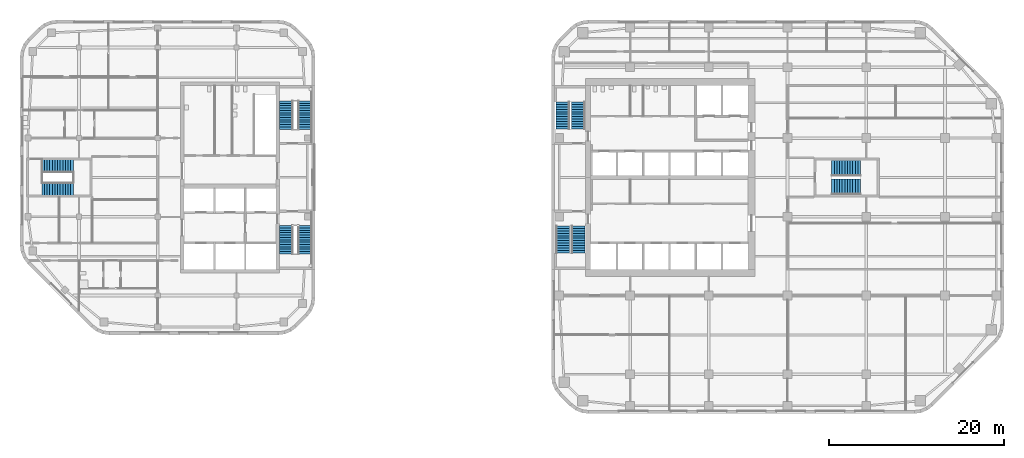
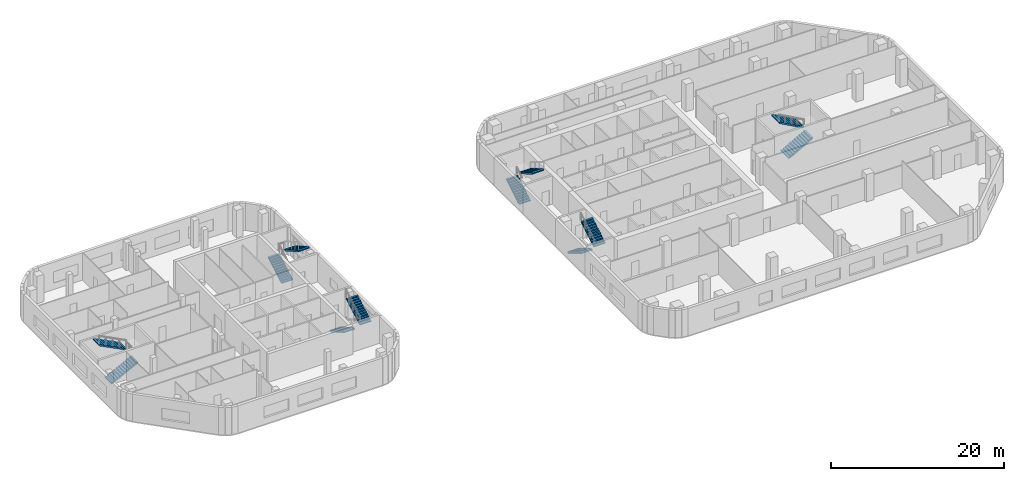
# One storey, part 11 of 14: 12 stair flights, 6 elements without a shape of their own.
"""IFC4 building model written with IfcOpenShell, lengths in metres."""

import ifcopenshell
import ifcopenshell.guid

model = None  # the IFC model being written
_history = None  # IfcOwnerHistory: only IFC2X3 demands one
_inside = {}  # id of a spatial element -> (the spatial element, [elements in it])
_under = {}  # id of a project, library or spatial element -> (it, [spatial elements below it])
_declared = {}  # id of a project -> (the project, [libraries it declares])
_typed = {}  # id of a type object -> (the type object, [elements of that type])
_made_of = {}  # id of a material, layer set ... -> (it, [elements and type objects made of it])


def new_model(schema):
    """Start an empty IFC model of exactly this schema.

    Asked for "IFC4X3", IfcOpenShell would pick the latest addendum, in which some entities
    have other attributes; the version numbers below select the first issue.
    IFC2X3 requires an IfcOwnerHistory on every rooted entity: one is made here for all.
    """
    global model, _history
    if schema == "IFC4X3":
        model = ifcopenshell.file(schema_version=(4, 3, 0, 0))
    else:
        model = ifcopenshell.file(schema=schema)
    _inside.clear()
    _under.clear()
    _declared.clear()
    _typed.clear()
    _made_of.clear()
    _history = None
    if model.schema == "IFC2X3":
        org = make("IfcOrganization", Name="unknown")
        user = make(
            "IfcPersonAndOrganization",
            ThePerson=make("IfcPerson", FamilyName="unknown"),
            TheOrganization=org,
        )
        app = make(
            "IfcApplication",
            ApplicationDeveloper=org,
            Version="unknown",
            ApplicationFullName="unknown",
            ApplicationIdentifier="unknown",
        )
        _history = make(
            "IfcOwnerHistory",
            OwningUser=user,
            OwningApplication=app,
            ChangeAction="ADDED",
            CreationDate=0,
        )
    return model


def make(cls, **values):
    """One entity of the class cls with the attributes given. An attribute that is None is left unset."""
    return model.create_entity(
        cls, **{name: value for name, value in values.items() if value is not None}
    )


def rooted(cls, **values):
    """An entity with a GlobalId (a new one), such as an element, a storey or a relation."""
    return make(cls, GlobalId=ifcopenshell.guid.new(), OwnerHistory=_history, **values)


def si_unit(unit_type, name, prefix=None):
    """IfcSIUnit, for example si_unit("LENGTHUNIT", "METRE", prefix="MILLI")."""
    return make("IfcSIUnit", UnitType=unit_type, Prefix=prefix, Name=name)


def assignment(units):
    """IfcUnitAssignment: the units of a project."""
    return None if units is None else make("IfcUnitAssignment", Units=units)


def point(xyz):
    """IfcCartesianPoint."""
    return None if xyz is None else make("IfcCartesianPoint", Coordinates=xyz)


def direction(xyz):
    """IfcDirection."""
    return None if xyz is None else make("IfcDirection", DirectionRatios=xyz)


def frame(location, z_axis=None, x_axis=None):
    """IfcAxis2Placement3D, a coordinate frame: its origin and axes. An axis left out is left unset."""
    return make(
        "IfcAxis2Placement3D",
        Location=point(location),
        Axis=direction(z_axis),
        RefDirection=direction(x_axis),
    )


def origin():
    """The frame at (0, 0, 0) with its axes left unset."""
    return frame((0.0, 0.0, 0.0))


def place(relative_to, where):
    """IfcLocalPlacement: puts the frame where relative to a parent placement (None: the world)."""
    return make(
        "IfcLocalPlacement", PlacementRelTo=relative_to, RelativePlacement=where
    )


def context(
    kind, dimensions, precision=None, world=None, true_north=None, identifier=None
):
    """IfcGeometricRepresentationContext, for example the 3D "Model" context."""
    return make(
        "IfcGeometricRepresentationContext",
        ContextIdentifier=identifier,
        ContextType=kind,
        CoordinateSpaceDimension=dimensions,
        Precision=precision,
        WorldCoordinateSystem=world,
        TrueNorth=true_north,
    )


def subcontext(parent, identifier, kind, view, scale=None):
    """IfcGeometricRepresentationSubContext, for example "Body" below "Model"."""
    return make(
        "IfcGeometricRepresentationSubContext",
        ContextIdentifier=identifier,
        ContextType=kind,
        ParentContext=parent,
        TargetScale=scale,
        TargetView=view,
    )


def project(units=None, contexts=None):
    """IfcProject with its units and contexts."""
    return rooted(
        "IfcProject",
        Name="project",
        RepresentationContexts=contexts,
        UnitsInContext=assignment(units),
    )


def spatial(cls, under=None, at=None, **own):
    """A site, building, storey or space (cls), placed at a placement, below another one or the project."""
    s = rooted(cls, ObjectPlacement=at, **own)
    if under is not None:
        _under.setdefault(under.id(), (under, []))[1].append(s)
    return s


def polyline(points):
    """IfcPolyline through the points."""
    return make("IfcPolyline", Points=[point(p) for p in points])


def outline(outer, holes=None, kind="AREA"):
    """IfcArbitraryClosedProfileDef: a profile drawn as a closed curve; with holes, ...WithVoids."""
    if holes is None:
        return make("IfcArbitraryClosedProfileDef", ProfileType=kind, OuterCurve=outer)
    return make(
        "IfcArbitraryProfileDefWithVoids",
        ProfileType=kind,
        OuterCurve=outer,
        InnerCurves=holes,
    )


def extrude(swept, where, along, depth):
    """IfcExtrudedAreaSolid: the profile swept, set in the frame where, extruded along a direction by depth."""
    return make(
        "IfcExtrudedAreaSolid",
        SweptArea=swept,
        Position=where,
        ExtrudedDirection=direction(along),
        Depth=depth,
    )


def shape(context_of_items, identifier, shape_type, items):
    """IfcShapeRepresentation: the items that make up one representation, for example the "Body"."""
    return make(
        "IfcShapeRepresentation",
        ContextOfItems=context_of_items,
        RepresentationIdentifier=identifier,
        RepresentationType=shape_type,
        Items=items,
    )


def material(Name=None, Category=None):
    """IfcMaterial."""
    return make("IfcMaterial", Name=Name, Category=Category)


def made_of(thing, what):
    """Note that an element or type object is made of a material, layer set ...; save() writes the relation."""
    if what is not None:
        _made_of.setdefault(what.id(), (what, []))[1].append(thing)
    return thing


def type_object(cls, material=None, **own):
    """A type object (cls), such as IfcWallType, which elements share."""
    return made_of(rooted(cls, **own), material)


def element(
    cls,
    number,
    at=None,
    inside=None,
    cuts=None,
    type_object=None,
    material=None,
    context=None,
    identifier="Body",
    shape_type=None,
    held_by="IfcProductDefinitionShape",
    body=None,
    shapes=None,
    **own,
):
    """One element of the class cls, such as IfcWall. Its Tag is "e" and its number.

    at: its placement. inside: the storey or other place that contains it. cuts: it is an
    opening in that element (IfcRelVoidsElement). A single representation is given by context,
    identifier, shape_type and body (its items); several are given by shapes. held_by: the class
    of the entity that holds the representations. save() writes the other relations.
    """
    e = rooted(cls, Tag="e%d" % number, ObjectPlacement=at, **own)
    if body is not None:
        shapes = [shape(context, identifier, shape_type, body)]
    if shapes is not None:
        e.Representation = make(held_by, Representations=shapes)
    if inside is not None:
        _inside.setdefault(inside.id(), (inside, []))[1].append(e)
    if cuts is not None:
        rooted(
            "IfcRelVoidsElement", RelatingBuildingElement=cuts, RelatedOpeningElement=e
        )
    if type_object is not None:
        _typed.setdefault(type_object.id(), (type_object, []))[1].append(e)
    return made_of(e, material)


def aggregate(whole, parts):
    """IfcRelAggregates: a whole, such as a stair, and the parts it consists of."""
    return rooted("IfcRelAggregates", RelatingObject=whole, RelatedObjects=parts)


def save(model, path):
    """Write the relations noted so far, then the file.

    IfcRelAggregates (storeys below a building ...), IfcRelContainedInSpatialStructure (elements
    in a storey), IfcRelDefinesByType, IfcRelAssociatesMaterial and IfcRelDeclares: one each for
    every whole, place, type object, material and project.
    """
    for whole, parts in _under.values():
        aggregate(whole, parts)
    for where, things in _inside.values():
        rooted(
            "IfcRelContainedInSpatialStructure",
            RelatedElements=things,
            RelatingStructure=where,
        )
    for kind, things in _typed.values():
        rooted("IfcRelDefinesByType", RelatedObjects=things, RelatingType=kind)
    for what, things in _made_of.values():
        rooted("IfcRelAssociatesMaterial", RelatedObjects=things, RelatingMaterial=what)
    for by, libraries in _declared.values():
        rooted("IfcRelDeclares", RelatingContext=by, RelatedDefinitions=libraries)
    model.write(path)


model = new_model("IFC4")

# Units and contexts
model_context = context("Model", 3, precision=1e-05, world=origin(), true_north=direction((0.0, 1.0)))
body_context = subcontext(model_context, "Body", "Model", "MODEL_VIEW")
ifc_project = project(units=[si_unit("LENGTHUNIT", "METRE"), si_unit("AREAUNIT", "SQUARE_METRE"), si_unit("VOLUMEUNIT", "CUBIC_METRE"), si_unit("PLANEANGLEUNIT", "RADIAN"), si_unit("MASSUNIT", "GRAM", prefix="KILO")], contexts=[model_context])

# Site, building, storey
site_placement = place(None, origin())
site = spatial("IfcSite", under=ifc_project, at=site_placement, CompositionType="ELEMENT")
building_placement = place(site_placement, origin())
building = spatial("IfcBuilding", under=site, at=building_placement, Name="Cinnabar Reach Civic Tower", CompositionType="ELEMENT")
storey_placement = place(building_placement, frame((0.0, 0.0, 112.0)))
storey = spatial("IfcBuildingStorey", under=building, at=storey_placement, Name="L26", CompositionType="ELEMENT", Elevation=112.0)

# Stair, stair flights
ifc_material_1 = material(Name="Concrete C40/50", Category="concrete")
stair_type_1 = type_object("IfcStairType", Name="T1 Exit stair, half-turn", PredefinedType="HALF_TURN_STAIR", material=ifc_material_1)
stair_1_placement = place(storey_placement, origin())
stair_1 = element("IfcStair", 1, at=stair_1_placement, inside=storey, type_object=stair_type_1, Name="Stair T1-S1", PredefinedType="HALF_TURN_STAIR")
stair_flight_type_1 = type_object("IfcStairFlightType", Name="T1 Stair flight, concrete", PredefinedType="STRAIGHT", material=ifc_material_1)
stair_flight_1_placement = place(storey_placement, frame((1.3125, 25.95, 0.0), z_axis=(0.0, 0.0, 1.0), x_axis=(0.0, -1.0, 0.0)))
stair_flight_1 = element("IfcStairFlight", 2, at=stair_flight_1_placement, type_object=stair_flight_type_1, Name="T1-S1 flight 1", NumberOfRisers=12, NumberOfTreads=11, PredefinedType="STRAIGHT", RiserHeight=0.166666667, TreadLength=0.28, context=body_context, shape_type="SweptSolid", body=[
    extrude(outline(polyline([(0.0, 0.0), (0.0, 0.1667), (0.28, 0.1667), (0.28, 0.3333), (0.56, 0.3333), (0.56, 0.5), (0.84, 0.5), (0.84, 0.6667), (1.12, 0.6667), (1.12, 0.8333), (1.4, 0.8333), (1.4, 1.0), (1.68, 1.0), (1.68, 1.1667), (1.96, 1.1667), (1.96, 1.3333), (2.24, 1.3333), (2.24, 1.5), (2.52, 1.5), (2.52, 1.6667), (2.8, 1.6667), (2.8, 1.8333), (3.08, 1.8333), (3.08, 2.0), (3.08, 1.6588), (0.2933, 0.0), (0.0, 0.0)])), frame((0.0, 0.7625, 0.0), z_axis=(0.0, -1.0, 0.0), x_axis=(1.0, 0.0, 0.0)), (0.0, 0.0, 1.0), 1.525),
])
stair_flight_2_placement = place(storey_placement, frame((3.0875, 22.87, 2.0), z_axis=(0.0, 0.0, 1.0), x_axis=(0.0, 1.0, 0.0)))
stair_flight_2 = element("IfcStairFlight", 3, at=stair_flight_2_placement, type_object=stair_flight_type_1, Name="T1-S1 flight 2", NumberOfRisers=12, NumberOfTreads=11, PredefinedType="STRAIGHT", RiserHeight=0.166666667, TreadLength=0.28, context=body_context, shape_type="SweptSolid", body=[
    extrude(outline(polyline([(0.0, 0.0), (0.0, 0.1667), (0.28, 0.1667), (0.28, 0.3333), (0.56, 0.3333), (0.56, 0.5), (0.84, 0.5), (0.84, 0.6667), (1.12, 0.6667), (1.12, 0.8333), (1.4, 0.8333), (1.4, 1.0), (1.68, 1.0), (1.68, 1.1667), (1.96, 1.1667), (1.96, 1.3333), (2.24, 1.3333), (2.24, 1.5), (2.52, 1.5), (2.52, 1.6667), (2.8, 1.6667), (2.8, 1.8333), (3.08, 1.8333), (3.08, 2.0), (3.08, 1.6588), (0.2933, 0.0), (0.0, 0.0)])), frame((0.0, 0.7625, 0.0), z_axis=(0.0, -1.0, 0.0), x_axis=(1.0, 0.0, 0.0)), (0.0, 0.0, 1.0), 1.525),
])
aggregate(stair_1, [stair_flight_1, stair_flight_2])

stair_2_placement = place(storey_placement, origin())
stair_2 = element("IfcStair", 4, at=stair_2_placement, inside=storey, type_object=stair_type_1, Name="Stair T1-S2", PredefinedType="HALF_TURN_STAIR")
stair_flight_3_placement = place(storey_placement, frame((1.3125, 37.05, 0.0), z_axis=(0.0, 0.0, 1.0), x_axis=(0.0, 1.0, 0.0)))
stair_flight_3 = element("IfcStairFlight", 5, at=stair_flight_3_placement, type_object=stair_flight_type_1, Name="T1-S2 flight 1", NumberOfRisers=12, NumberOfTreads=11, PredefinedType="STRAIGHT", RiserHeight=0.166666667, TreadLength=0.28, context=body_context, shape_type="SweptSolid", body=[
    extrude(outline(polyline([(0.0, 0.0), (0.0, 0.1667), (0.28, 0.1667), (0.28, 0.3333), (0.56, 0.3333), (0.56, 0.5), (0.84, 0.5), (0.84, 0.6667), (1.12, 0.6667), (1.12, 0.8333), (1.4, 0.8333), (1.4, 1.0), (1.68, 1.0), (1.68, 1.1667), (1.96, 1.1667), (1.96, 1.3333), (2.24, 1.3333), (2.24, 1.5), (2.52, 1.5), (2.52, 1.6667), (2.8, 1.6667), (2.8, 1.8333), (3.08, 1.8333), (3.08, 2.0), (3.08, 1.6588), (0.2933, 0.0), (0.0, 0.0)])), frame((0.0, 0.7625, 0.0), z_axis=(0.0, -1.0, 0.0), x_axis=(1.0, 0.0, 0.0)), (0.0, 0.0, 1.0), 1.525),
])
stair_flight_4_placement = place(storey_placement, frame((3.0875, 40.13, 2.0), z_axis=(0.0, 0.0, 1.0), x_axis=(0.0, -1.0, 0.0)))
stair_flight_4 = element("IfcStairFlight", 6, at=stair_flight_4_placement, type_object=stair_flight_type_1, Name="T1-S2 flight 2", NumberOfRisers=12, NumberOfTreads=11, PredefinedType="STRAIGHT", RiserHeight=0.166666667, TreadLength=0.28, context=body_context, shape_type="SweptSolid", body=[
    extrude(outline(polyline([(0.0, 0.0), (0.0, 0.1667), (0.28, 0.1667), (0.28, 0.3333), (0.56, 0.3333), (0.56, 0.5), (0.84, 0.5), (0.84, 0.6667), (1.12, 0.6667), (1.12, 0.8333), (1.4, 0.8333), (1.4, 1.0), (1.68, 1.0), (1.68, 1.1667), (1.96, 1.1667), (1.96, 1.3333), (2.24, 1.3333), (2.24, 1.5), (2.52, 1.5), (2.52, 1.6667), (2.8, 1.6667), (2.8, 1.8333), (3.08, 1.8333), (3.08, 2.0), (3.08, 1.6588), (0.2933, 0.0), (0.0, 0.0)])), frame((0.0, 0.7625, 0.0), z_axis=(0.0, -1.0, 0.0), x_axis=(1.0, 0.0, 0.0)), (0.0, 0.0, 1.0), 1.525),
])
aggregate(stair_2, [stair_flight_3, stair_flight_4])

stair_3_placement = place(storey_placement, origin())
stair_3 = element("IfcStair", 7, at=stair_3_placement, inside=storey, type_object=stair_type_1, Name="Stair T1-S3", PredefinedType="HALF_TURN_STAIR")
stair_flight_5_placement = place(storey_placement, frame((32.05, 30.45, 0.0), z_axis=(0.0, 0.0, 1.0), x_axis=(1.0, 0.0, 0.0)))
stair_flight_5 = element("IfcStairFlight", 8, at=stair_flight_5_placement, type_object=stair_flight_type_1, Name="T1-S3 flight 1", NumberOfRisers=12, NumberOfTreads=11, PredefinedType="STRAIGHT", RiserHeight=0.166666667, TreadLength=0.3, context=body_context, shape_type="SweptSolid", body=[
    extrude(outline(polyline([(0.0, 0.0), (0.0, 0.1667), (0.3, 0.1667), (0.3, 0.3333), (0.6, 0.3333), (0.6, 0.5), (0.9, 0.5), (0.9, 0.6667), (1.2, 0.6667), (1.2, 0.8333), (1.5, 0.8333), (1.5, 1.0), (1.8, 1.0), (1.8, 1.1667), (2.1, 1.1667), (2.1, 1.3333), (2.4, 1.3333), (2.4, 1.5), (2.7, 1.5), (2.7, 1.6667), (3.0, 1.6667), (3.0, 1.8333), (3.3, 1.8333), (3.3, 2.0), (3.3, 1.6617), (0.3089, 0.0), (0.0, 0.0)])), frame((0.0, 0.9, 0.0), z_axis=(0.0, -1.0, 0.0), x_axis=(1.0, 0.0, 0.0)), (0.0, 0.0, 1.0), 1.8),
])
stair_flight_6_placement = place(storey_placement, frame((35.35, 32.55, 2.0), z_axis=(0.0, 0.0, 1.0), x_axis=(-1.0, 0.0, 0.0)))
stair_flight_6 = element("IfcStairFlight", 9, at=stair_flight_6_placement, type_object=stair_flight_type_1, Name="T1-S3 flight 2", NumberOfRisers=12, NumberOfTreads=11, PredefinedType="STRAIGHT", RiserHeight=0.166666667, TreadLength=0.3, context=body_context, shape_type="SweptSolid", body=[
    extrude(outline(polyline([(0.0, 0.0), (0.0, 0.1667), (0.3, 0.1667), (0.3, 0.3333), (0.6, 0.3333), (0.6, 0.5), (0.9, 0.5), (0.9, 0.6667), (1.2, 0.6667), (1.2, 0.8333), (1.5, 0.8333), (1.5, 1.0), (1.8, 1.0), (1.8, 1.1667), (2.1, 1.1667), (2.1, 1.3333), (2.4, 1.3333), (2.4, 1.5), (2.7, 1.5), (2.7, 1.6667), (3.0, 1.6667), (3.0, 1.8333), (3.3, 1.8333), (3.3, 2.0), (3.3, 1.6617), (0.3089, 0.0), (0.0, 0.0)])), frame((0.0, 0.9, 0.0), z_axis=(0.0, -1.0, 0.0), x_axis=(1.0, 0.0, 0.0)), (0.0, 0.0, 1.0), 1.8),
])
aggregate(stair_3, [stair_flight_5, stair_flight_6])

ifc_material_2 = material(Name="Concrete C40", Category="concrete")
stair_type_2 = type_object("IfcStairType", Name="T2 Exit stair 1500", PredefinedType="HALF_TURN_STAIR", material=ifc_material_2)
stair_4_placement = place(storey_placement, origin())
stair_4 = element("IfcStair", 10, at=stair_4_placement, inside=storey, type_object=stair_type_2, Name="Exit stair 1", PredefinedType="HALF_TURN_STAIR")
stair_flight_type_2 = type_object("IfcStairFlightType", Name="T2 Stair flight 1500", PredefinedType="STRAIGHT", material=ifc_material_2)
stair_flight_7_placement = place(storey_placement, frame((-30.35, 26.0, 0.0), z_axis=(0.0, 0.0, 1.0), x_axis=(0.0, -1.0, 0.0)))
stair_flight_7 = element("IfcStairFlight", 11, at=stair_flight_7_placement, type_object=stair_flight_type_2, Name="ST1 flight 1", NumberOfRisers=13, NumberOfTreads=12, PredefinedType="STRAIGHT", RiserHeight=0.153846154, TreadLength=0.270833333, context=body_context, shape_type="SweptSolid", body=[
    extrude(outline(polyline([(0.0, 0.0), (0.0, 0.1538), (0.2708, 0.1538), (0.2708, 0.3077), (0.5417, 0.3077), (0.5417, 0.4615), (0.8125, 0.4615), (0.8125, 0.6154), (1.0833, 0.6154), (1.0833, 0.7692), (1.3542, 0.7692), (1.3542, 0.9231), (1.625, 0.9231), (1.625, 1.0769), (1.8958, 1.0769), (1.8958, 1.2308), (2.1667, 1.2308), (2.1667, 1.3846), (2.4375, 1.3846), (2.4375, 1.5385), (2.7083, 1.5385), (2.7083, 1.6923), (2.9792, 1.6923), (2.9792, 1.8462), (3.25, 1.8462), (3.25, 2.0), (3.25, 1.6736), (0.3037, 0.0), (0.0, 0.0)])), frame((0.0, 0.75, 0.0), z_axis=(0.0, -1.0, 0.0), x_axis=(1.0, 0.0, 0.0)), (0.0, 0.0, 1.0), 1.5),
])
stair_flight_8_placement = place(storey_placement, frame((-28.15, 22.75, 2.0), z_axis=(0.0, 0.0, 1.0), x_axis=(0.0, 1.0, 0.0)))
stair_flight_8 = element("IfcStairFlight", 12, at=stair_flight_8_placement, type_object=stair_flight_type_2, Name="ST1 flight 2", NumberOfRisers=13, NumberOfTreads=12, PredefinedType="STRAIGHT", RiserHeight=0.153846154, TreadLength=0.270833333, context=body_context, shape_type="SweptSolid", body=[
    extrude(outline(polyline([(0.0, 0.0), (0.0, 0.1538), (0.2708, 0.1538), (0.2708, 0.3077), (0.5417, 0.3077), (0.5417, 0.4615), (0.8125, 0.4615), (0.8125, 0.6154), (1.0833, 0.6154), (1.0833, 0.7692), (1.3542, 0.7692), (1.3542, 0.9231), (1.625, 0.9231), (1.625, 1.0769), (1.8958, 1.0769), (1.8958, 1.2308), (2.1667, 1.2308), (2.1667, 1.3846), (2.4375, 1.3846), (2.4375, 1.5385), (2.7083, 1.5385), (2.7083, 1.6923), (2.9792, 1.6923), (2.9792, 1.8462), (3.25, 1.8462), (3.25, 2.0), (3.25, 1.6736), (0.3037, 0.0), (0.0, 0.0)])), frame((0.0, 0.75, 0.0), z_axis=(0.0, -1.0, 0.0), x_axis=(1.0, 0.0, 0.0)), (0.0, 0.0, 1.0), 1.5),
])
aggregate(stair_4, [stair_flight_7, stair_flight_8])

stair_5_placement = place(storey_placement, origin())
stair_5 = element("IfcStair", 13, at=stair_5_placement, inside=storey, type_object=stair_type_2, Name="Exit stair 2", PredefinedType="HALF_TURN_STAIR")
stair_flight_9_placement = place(storey_placement, frame((-30.35, 37.0, 0.0), z_axis=(0.0, 0.0, 1.0), x_axis=(0.0, 1.0, 0.0)))
stair_flight_9 = element("IfcStairFlight", 14, at=stair_flight_9_placement, type_object=stair_flight_type_2, Name="ST2 flight 1", NumberOfRisers=13, NumberOfTreads=12, PredefinedType="STRAIGHT", RiserHeight=0.153846154, TreadLength=0.270833333, context=body_context, shape_type="SweptSolid", body=[
    extrude(outline(polyline([(0.0, 0.0), (0.0, 0.1538), (0.2708, 0.1538), (0.2708, 0.3077), (0.5417, 0.3077), (0.5417, 0.4615), (0.8125, 0.4615), (0.8125, 0.6154), (1.0833, 0.6154), (1.0833, 0.7692), (1.3542, 0.7692), (1.3542, 0.9231), (1.625, 0.9231), (1.625, 1.0769), (1.8958, 1.0769), (1.8958, 1.2308), (2.1667, 1.2308), (2.1667, 1.3846), (2.4375, 1.3846), (2.4375, 1.5385), (2.7083, 1.5385), (2.7083, 1.6923), (2.9792, 1.6923), (2.9792, 1.8462), (3.25, 1.8462), (3.25, 2.0), (3.25, 1.6736), (0.3037, 0.0), (0.0, 0.0)])), frame((0.0, 0.75, 0.0), z_axis=(0.0, -1.0, 0.0), x_axis=(1.0, 0.0, 0.0)), (0.0, 0.0, 1.0), 1.5),
])
stair_flight_10_placement = place(storey_placement, frame((-28.15, 40.25, 2.0), z_axis=(0.0, 0.0, 1.0), x_axis=(0.0, -1.0, 0.0)))
stair_flight_10 = element("IfcStairFlight", 15, at=stair_flight_10_placement, type_object=stair_flight_type_2, Name="ST2 flight 2", NumberOfRisers=13, NumberOfTreads=12, PredefinedType="STRAIGHT", RiserHeight=0.153846154, TreadLength=0.270833333, context=body_context, shape_type="SweptSolid", body=[
    extrude(outline(polyline([(0.0, 0.0), (0.0, 0.1538), (0.2708, 0.1538), (0.2708, 0.3077), (0.5417, 0.3077), (0.5417, 0.4615), (0.8125, 0.4615), (0.8125, 0.6154), (1.0833, 0.6154), (1.0833, 0.7692), (1.3542, 0.7692), (1.3542, 0.9231), (1.625, 0.9231), (1.625, 1.0769), (1.8958, 1.0769), (1.8958, 1.2308), (2.1667, 1.2308), (2.1667, 1.3846), (2.4375, 1.3846), (2.4375, 1.5385), (2.7083, 1.5385), (2.7083, 1.6923), (2.9792, 1.6923), (2.9792, 1.8462), (3.25, 1.8462), (3.25, 2.0), (3.25, 1.6736), (0.3037, 0.0), (0.0, 0.0)])), frame((0.0, 0.75, 0.0), z_axis=(0.0, -1.0, 0.0), x_axis=(1.0, 0.0, 0.0)), (0.0, 0.0, 1.0), 1.5),
])
aggregate(stair_5, [stair_flight_9, stair_flight_10])

stair_6_placement = place(storey_placement, origin())
stair_6 = element("IfcStair", 16, at=stair_6_placement, inside=storey, type_object=stair_type_2, Name="Exit stair 3", PredefinedType="HALF_TURN_STAIR")
stair_flight_11_placement = place(storey_placement, frame((-58.25, 30.125, 0.0), z_axis=(0.0, 0.0, 1.0), x_axis=(1.0, 0.0, 0.0)))
stair_flight_11 = element("IfcStairFlight", 17, at=stair_flight_11_placement, type_object=stair_flight_type_2, Name="ST3 flight 1", NumberOfRisers=13, NumberOfTreads=12, PredefinedType="STRAIGHT", RiserHeight=0.153846154, TreadLength=0.3, context=body_context, shape_type="SweptSolid", body=[
    extrude(outline(polyline([(0.0, 0.0), (0.0, 0.1538), (0.3, 0.1538), (0.3, 0.3077), (0.6, 0.3077), (0.6, 0.4615), (0.9, 0.4615), (0.9, 0.6154), (1.2, 0.6154), (1.2, 0.7692), (1.5, 0.7692), (1.5, 0.9231), (1.8, 0.9231), (1.8, 1.0769), (2.1, 1.0769), (2.1, 1.2308), (2.4, 1.2308), (2.4, 1.3846), (2.7, 1.3846), (2.7, 1.5385), (3.0, 1.5385), (3.0, 1.6923), (3.3, 1.6923), (3.3, 1.8462), (3.6, 1.8462), (3.6, 2.0), (3.6, 1.6776), (0.3287, 0.0), (0.0, 0.0)])), frame((0.0, 0.75, 0.0), z_axis=(0.0, -1.0, 0.0), x_axis=(1.0, 0.0, 0.0)), (0.0, 0.0, 1.0), 1.5),
])
stair_flight_12_placement = place(storey_placement, frame((-54.65, 32.875, 2.0), z_axis=(0.0, 0.0, 1.0), x_axis=(-1.0, 0.0, 0.0)))
stair_flight_12 = element("IfcStairFlight", 18, at=stair_flight_12_placement, type_object=stair_flight_type_2, Name="ST3 flight 2", NumberOfRisers=13, NumberOfTreads=12, PredefinedType="STRAIGHT", RiserHeight=0.153846154, TreadLength=0.3, context=body_context, shape_type="SweptSolid", body=[
    extrude(outline(polyline([(0.0, 0.0), (0.0, 0.1538), (0.3, 0.1538), (0.3, 0.3077), (0.6, 0.3077), (0.6, 0.4615), (0.9, 0.4615), (0.9, 0.6154), (1.2, 0.6154), (1.2, 0.7692), (1.5, 0.7692), (1.5, 0.9231), (1.8, 0.9231), (1.8, 1.0769), (2.1, 1.0769), (2.1, 1.2308), (2.4, 1.2308), (2.4, 1.3846), (2.7, 1.3846), (2.7, 1.5385), (3.0, 1.5385), (3.0, 1.6923), (3.3, 1.6923), (3.3, 1.8462), (3.6, 1.8462), (3.6, 2.0), (3.6, 1.6776), (0.3287, 0.0), (0.0, 0.0)])), frame((0.0, 0.75, 0.0), z_axis=(0.0, -1.0, 0.0), x_axis=(1.0, 0.0, 0.0)), (0.0, 0.0, 1.0), 1.5),
])
aggregate(stair_6, [stair_flight_11, stair_flight_12])

save(model, "model.ifc")
